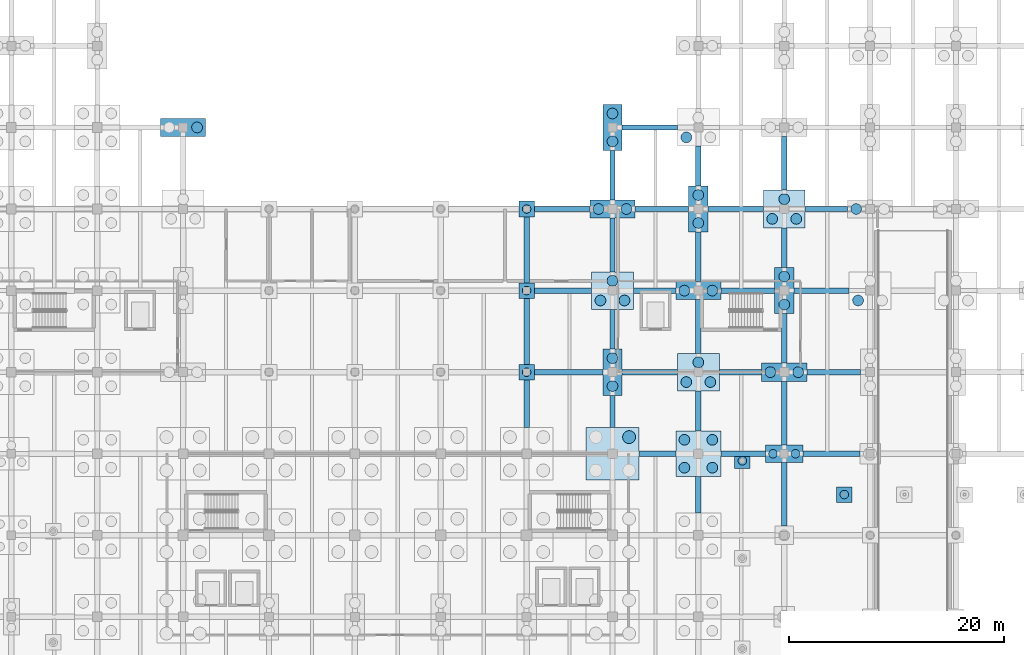
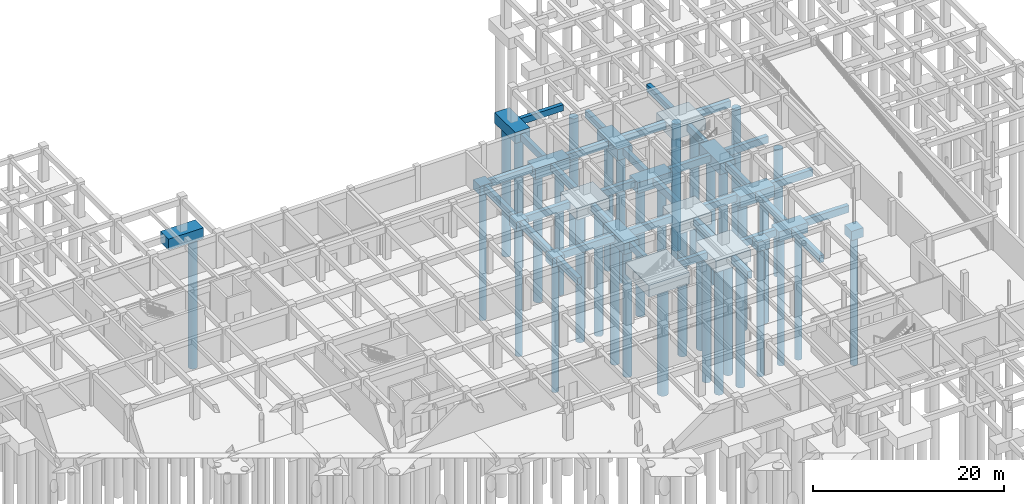
# One storey, part 11 of 49: 52 footings, 39 piles.
"""IFC4 building model written with IfcOpenShell, lengths in metres."""

from ifc_helpers import new_model, si_unit, direction, frame, origin, origin_2d, place, context, subcontext, project, spatial, rectangle, circle, extrude, material, layer, layer_set, material_profile, profile_set, type_object, element, save


model = new_model("IFC4")

# Units and contexts
model_context = context("Model", 3, precision=1e-05, world=origin(), true_north=direction((0.0, 1.0)))
body_context = subcontext(model_context, "Body", "Model", "MODEL_VIEW")
ifc_project = project(units=[si_unit("LENGTHUNIT", "METRE"), si_unit("AREAUNIT", "SQUARE_METRE"), si_unit("VOLUMEUNIT", "CUBIC_METRE"), si_unit("PLANEANGLEUNIT", "RADIAN"), si_unit("MASSUNIT", "GRAM", prefix="KILO")], contexts=[model_context])

# Site, building, storey
site_placement = place(None, origin())
site = spatial("IfcSite", under=ifc_project, at=site_placement, CompositionType="ELEMENT")
building_placement = place(site_placement, origin())
building = spatial("IfcBuilding", under=site, at=building_placement, Name="Zantavel Square City Hall", CompositionType="ELEMENT")
storey_placement = place(building_placement, frame((0.0, 0.0, -4.5)))
storey = spatial("IfcBuildingStorey", under=building, at=storey_placement, Name="B1", CompositionType="ELEMENT", Elevation=-4.5)

# Piles
ifc_material_1 = material(Name="Concrete C35/45", Category="concrete")
ifc_material_profile_1 = material_profile(ifc_material_1, circle(Radius=0.5, at=origin_2d()), Name="PILE D1000")
ifc_profile_set_1 = profile_set([ifc_material_profile_1], Name="Concrete C35/45")
pile_type_1 = type_object("IfcPileType", Name="Bored Pile D1000 Concrete C35/45", PredefinedType="BORED", material=ifc_profile_set_1)
pile_1_placement = place(storey_placement, frame((65.300048828125, 98.800048828125, -1.300048828125), z_axis=(0.0, 0.0, -1.0), x_axis=(1.0, 0.0, 0.0)))
element("IfcPile", 1, at=pile_1_placement, inside=storey, type_object=pile_type_1, Name="Bored Pile FDN-PL-0640-0988-2", PredefinedType="BORED", context=body_context, shape_type="SweptSolid", body=[
    extrude(circle(Radius=0.5, at=origin_2d()), origin(), (0.0, 0.0, 1.0), 16.699951171875),
])
for number, where, z_axis, x_axis, name in (
    (2, (104.0, 74.699951171875, -1.699951171875), (0.0, 0.0, -1.0), (1.0, 0.0, 0.0), "Bored Pile FDN-PL-1040-0760-1"),
    (3, (104.0, 77.300048828125, -1.699951171875), (0.0, 0.0, -1.0), (1.0, 0.0, 0.0), "Bored Pile FDN-PL-1040-0760-2"),
):
    element("IfcPile", number, at=place(storey_placement, frame(where, z_axis=z_axis, x_axis=x_axis)), inside=storey, type_object=pile_type_1, Name=name, PredefinedType="BORED", context=body_context, shape_type="SweptSolid", body=[
        extrude(circle(Radius=0.5, at=origin_2d()), origin(), (0.0, 0.0, 1.0), 16.300048828125),
    ])
for number, where, z_axis, x_axis, name in (
    (4, (102.8798828125, 82.679931640625, -1.75), (0.0, 0.0, -1.0), (1.0, 0.0, 0.0), "Bored Pile FDN-PL-1040-0836-1"),
    (5, (105.1201171875, 82.679931640625, -1.75), (0.0, 0.0, -1.0), (1.0, 0.0, 0.0), "Bored Pile FDN-PL-1040-0836-2"),
    (6, (104.0, 84.52001953125, -1.75), (0.0, 0.0, -1.0), (1.0, 0.0, 0.0), "Bored Pile FDN-PL-1040-0836-3"),
):
    element("IfcPile", number, at=place(storey_placement, frame(where, z_axis=z_axis, x_axis=x_axis)), inside=storey, type_object=pile_type_1, Name=name, PredefinedType="BORED", context=body_context, shape_type="SweptSolid", body=[
        extrude(circle(Radius=0.5, at=origin_2d()), origin(), (0.0, 0.0, 1.0), 16.25),
    ])
for number, where, z_axis, x_axis, name in (
    (7, (102.699951171875, 91.199951171875, -1.699951171875), (0.0, 0.0, -1.0), (1.0, 0.0, 0.0), "Bored Pile FDN-PL-1040-0912-1"),
    (8, (105.300048828125, 91.199951171875, -1.699951171875), (0.0, 0.0, -1.0), (1.0, 0.0, 0.0), "Bored Pile FDN-PL-1040-0912-2"),
):
    element("IfcPile", number, at=place(storey_placement, frame(where, z_axis=z_axis, x_axis=x_axis)), inside=storey, type_object=pile_type_1, Name=name, PredefinedType="BORED", context=body_context, shape_type="SweptSolid", body=[
        extrude(circle(Radius=0.5, at=origin_2d()), origin(), (0.0, 0.0, 1.0), 16.300048828125),
    ])
for number, where, z_axis, x_axis, name in (
    (9, (104.0, 97.5, -1.300048828125), (0.0, 0.0, -1.0), (1.0, 0.0, 0.0), "Bored Pile FDN-PL-1040-0988-1"),
    (10, (104.0, 100.10009765625, -1.300048828125), (0.0, 0.0, -1.0), (1.0, 0.0, 0.0), "Bored Pile FDN-PL-1040-0988-2"),
):
    element("IfcPile", number, at=place(storey_placement, frame(where, z_axis=z_axis, x_axis=x_axis)), inside=storey, type_object=pile_type_1, Name=name, PredefinedType="BORED", context=body_context, shape_type="SweptSolid", body=[
        extrude(circle(Radius=0.5, at=origin_2d()), origin(), (0.0, 0.0, 1.0), 16.699951171875),
    ])
for number, where, z_axis, x_axis, name in (
    (11, (110.699951171875, 67.10009765625, -1.800048828125), (0.0, 0.0, -1.0), (1.0, 0.0, 0.0), "Bored Pile FDN-PL-1120-0684-1"),
    (12, (113.300048828125, 67.10009765625, -1.800048828125), (0.0, 0.0, -1.0), (1.0, 0.0, 0.0), "Bored Pile FDN-PL-1120-0684-2"),
    (13, (110.699951171875, 69.699951171875, -1.800048828125), (0.0, 0.0, -1.0), (1.0, 0.0, 0.0), "Bored Pile FDN-PL-1120-0684-3"),
    (14, (113.300048828125, 69.699951171875, -1.800048828125), (0.0, 0.0, -1.0), (1.0, 0.0, 0.0), "Bored Pile FDN-PL-1120-0684-4"),
):
    element("IfcPile", number, at=place(storey_placement, frame(where, z_axis=z_axis, x_axis=x_axis)), inside=storey, type_object=pile_type_1, Name=name, PredefinedType="BORED", context=body_context, shape_type="SweptSolid", body=[
        extrude(circle(Radius=0.5, at=origin_2d()), origin(), (0.0, 0.0, 1.0), 16.199951171875),
    ])
for number, where, z_axis, x_axis, name in (
    (15, (110.8798828125, 75.080078125, -1.75), (0.0, 0.0, -1.0), (1.0, 0.0, 0.0), "Bored Pile FDN-PL-1120-0760-1"),
    (16, (113.1201171875, 75.080078125, -1.75), (0.0, 0.0, -1.0), (1.0, 0.0, 0.0), "Bored Pile FDN-PL-1120-0760-2"),
    (17, (112.0, 76.919921875, -1.75), (0.0, 0.0, -1.0), (1.0, 0.0, 0.0), "Bored Pile FDN-PL-1120-0760-3"),
):
    element("IfcPile", number, at=place(storey_placement, frame(where, z_axis=z_axis, x_axis=x_axis)), inside=storey, type_object=pile_type_1, Name=name, PredefinedType="BORED", context=body_context, shape_type="SweptSolid", body=[
        extrude(circle(Radius=0.5, at=origin_2d()), origin(), (0.0, 0.0, 1.0), 16.25),
    ])
for number, where, z_axis, x_axis, name in (
    (18, (110.699951171875, 83.60009765625, -1.699951171875), (0.0, 0.0, -1.0), (1.0, 0.0, 0.0), "Bored Pile FDN-PL-1120-0836-1"),
    (19, (113.300048828125, 83.60009765625, -1.699951171875), (0.0, 0.0, -1.0), (1.0, 0.0, 0.0), "Bored Pile FDN-PL-1120-0836-2"),
    (20, (112.0, 89.89990234375, -1.699951171875), (0.0, 0.0, -1.0), (1.0, 0.0, 0.0), "Bored Pile FDN-PL-1120-0912-1"),
    (21, (112.0, 92.5, -1.699951171875), (0.0, 0.0, -1.0), (1.0, 0.0, 0.0), "Bored Pile FDN-PL-1120-0912-2"),
):
    element("IfcPile", number, at=place(storey_placement, frame(where, z_axis=z_axis, x_axis=x_axis)), inside=storey, type_object=pile_type_1, Name=name, PredefinedType="BORED", context=body_context, shape_type="SweptSolid", body=[
        extrude(circle(Radius=0.5, at=origin_2d()), origin(), (0.0, 0.0, 1.0), 16.300048828125),
    ])
pile_2_placement = place(storey_placement, frame((110.8798828125, 97.8798828125, -1.35009765625), z_axis=(0.0, 0.0, -1.0), x_axis=(1.0, 0.0, 0.0)))
element("IfcPile", 22, at=pile_2_placement, inside=storey, type_object=pile_type_1, Name="Bored Pile FDN-PL-1120-0988-1", PredefinedType="BORED", context=body_context, shape_type="SweptSolid", body=[
    extrude(circle(Radius=0.5, at=origin_2d()), origin(), (0.0, 0.0, 1.0), 16.64990234375),
])
for number, where, z_axis, x_axis, name in (
    (23, (118.699951171875, 76.0, -1.699951171875), (0.0, 0.0, -1.0), (1.0, 0.0, 0.0), "Bored Pile FDN-PL-1200-0760-1"),
    (24, (121.300048828125, 76.0, -1.699951171875), (0.0, 0.0, -1.0), (1.0, 0.0, 0.0), "Bored Pile FDN-PL-1200-0760-2"),
    (25, (120.0, 82.300048828125, -1.699951171875), (0.0, 0.0, -1.0), (1.0, 0.0, 0.0), "Bored Pile FDN-PL-1200-0836-1"),
    (26, (120.0, 84.89990234375, -1.699951171875), (0.0, 0.0, -1.0), (1.0, 0.0, 0.0), "Bored Pile FDN-PL-1200-0836-2"),
):
    element("IfcPile", number, at=place(storey_placement, frame(where, z_axis=z_axis, x_axis=x_axis)), inside=storey, type_object=pile_type_1, Name=name, PredefinedType="BORED", context=body_context, shape_type="SweptSolid", body=[
        extrude(circle(Radius=0.5, at=origin_2d()), origin(), (0.0, 0.0, 1.0), 16.300048828125),
    ])
for number, where, z_axis, x_axis, name in (
    (27, (118.8798828125, 90.280029296875, -1.75), (0.0, 0.0, -1.0), (1.0, 0.0, 0.0), "Bored Pile FDN-PL-1200-0912-1"),
    (28, (121.1201171875, 90.280029296875, -1.75), (0.0, 0.0, -1.0), (1.0, 0.0, 0.0), "Bored Pile FDN-PL-1200-0912-2"),
    (29, (120.0, 92.1201171875, -1.75), (0.0, 0.0, -1.0), (1.0, 0.0, 0.0), "Bored Pile FDN-PL-1200-0912-3"),
    (30, (126.8798828125, 82.679931640625, -1.75), (0.0, 0.0, -1.0), (1.0, 0.0, 0.0), "Bored Pile FDN-PL-1280-0836-1"),
):
    element("IfcPile", number, at=place(storey_placement, frame(where, z_axis=z_axis, x_axis=x_axis)), inside=storey, type_object=pile_type_1, Name=name, PredefinedType="BORED", context=body_context, shape_type="SweptSolid", body=[
        extrude(circle(Radius=0.5, at=origin_2d()), origin(), (0.0, 0.0, 1.0), 16.25),
    ])
pile_3_placement = place(storey_placement, frame((126.699951171875, 91.199951171875, -1.699951171875), z_axis=(0.0, 0.0, -1.0), x_axis=(1.0, 0.0, 0.0)))
element("IfcPile", 31, at=pile_3_placement, inside=storey, type_object=pile_type_1, Name="Bored Pile FDN-PL-1280-0912-1", PredefinedType="BORED", context=body_context, shape_type="SweptSolid", body=[
    extrude(circle(Radius=0.5, at=origin_2d()), origin(), (0.0, 0.0, 1.0), 16.300048828125),
])
ifc_material_profile_2 = material_profile(ifc_material_1, circle(Radius=0.60009765625, at=origin_2d()), Name="PILE D1200")
ifc_profile_set_2 = profile_set([ifc_material_profile_2], Name="Concrete C35/45")
pile_type_2 = type_object("IfcPileType", Name="Bored Pile D1200 Concrete C35/45", PredefinedType="BORED", material=ifc_profile_set_2)
pile_4_placement = place(storey_placement, frame((105.550048828125, 69.949951171875, -1.800048828125), z_axis=(0.0, 0.0, -1.0), x_axis=(1.0, 0.0, 0.0)))
element("IfcPile", 32, at=pile_4_placement, inside=storey, type_object=pile_type_2, Name="Bored Pile FDN-PL-1040-0684-4", PredefinedType="BORED", context=body_context, shape_type="SweptSolid", body=[
    extrude(circle(Radius=0.60009765625, at=origin_2d()), origin(), (0.0, 0.0, 1.0), 16.199951171875),
])
ifc_material_profile_3 = material_profile(ifc_material_1, circle(Radius=0.39990234375, at=origin_2d()), Name="PILE D800")
ifc_profile_set_3 = profile_set([ifc_material_profile_3], Name="Concrete C35/45")
pile_type_3 = type_object("IfcPileType", Name="Bored Pile D800 Concrete C35/45", PredefinedType="BORED", material=ifc_profile_set_3)
for number, where, z_axis, x_axis, name in (
    (33, (96.0, 76.0, -1.5), (0.0, 0.0, -1.0), (1.0, 0.0, 0.0), "Bored Pile FDN-PL-0960-0760-1"),
    (34, (96.0, 83.60009765625, -1.5), (0.0, 0.0, -1.0), (1.0, 0.0, 0.0), "Bored Pile FDN-PL-0960-0836-1"),
    (35, (96.0, 91.199951171875, -1.5), (0.0, 0.0, -1.0), (1.0, 0.0, 0.0), "Bored Pile FDN-PL-0960-0912-1"),
):
    element("IfcPile", number, at=place(storey_placement, frame(where, z_axis=z_axis, x_axis=x_axis)), inside=storey, type_object=pile_type_3, Name=name, PredefinedType="BORED", context=body_context, shape_type="SweptSolid", body=[
        extrude(circle(Radius=0.39990234375, at=origin_2d()), origin(), (0.0, 0.0, 1.0), 16.5),
    ])
for number, where, z_axis, x_axis, name in (
    (36, (118.949951171875, 68.39990234375, -1.60009765625), (0.0, 0.0, -1.0), (1.0, 0.0, 0.0), "Bored Pile FDN-PL-1200-0684-1"),
    (37, (121.050048828125, 68.39990234375, -1.60009765625), (0.0, 0.0, -1.0), (1.0, 0.0, 0.0), "Bored Pile FDN-PL-1200-0684-2"),
):
    element("IfcPile", number, at=place(storey_placement, frame(where, z_axis=z_axis, x_axis=x_axis)), inside=storey, type_object=pile_type_3, Name=name, PredefinedType="BORED", context=body_context, shape_type="SweptSolid", body=[
        extrude(circle(Radius=0.39990234375, at=origin_2d()), origin(), (0.0, 0.0, 1.0), 16.39990234375),
    ])
for number, where, z_axis, x_axis, name in (
    (38, (116.10009765625, 67.7451171875, -1.5), (0.0, 0.0, -1.0), (1.0, 0.0, 0.0), "Terrace Stair Loggia Bored Pile 3"),
    (39, (125.60009765625, 64.60009765625, -1.5), (0.0, 0.0, -1.0), (1.0, 0.0, 0.0), "Skylight Pier Bored Pile 1-N"),
):
    element("IfcPile", number, at=place(storey_placement, frame(where, z_axis=z_axis, x_axis=x_axis)), inside=storey, type_object=pile_type_3, Name=name, PredefinedType="BORED", context=body_context, shape_type="SweptSolid", body=[
        extrude(circle(Radius=0.39990234375, at=origin_2d()), origin(), (0.0, 0.0, 1.0), 16.5),
    ])

# Footings
ifc_material_profile_4 = material_profile(ifc_material_1, rectangle(XDim=0.449951171875, YDim=0.800048828125, at=origin_2d()), Name="RC 450x800")
ifc_profile_set_4 = profile_set([ifc_material_profile_4], Name="Concrete C35/45")
footing_type_1 = type_object("IfcFootingType", Name="Courtyard Grade Tie Beam 450x800 C35/45", PredefinedType="FOOTING_BEAM", material=ifc_profile_set_4)
footing_1_placement = place(storey_placement, frame((104.89990234375, 98.800048828125, -0.39990234375), z_axis=(1.0, 0.0, 0.0), x_axis=(0.0, 1.0, 0.0)))
element("IfcFooting", 40, at=footing_1_placement, inside=storey, type_object=footing_type_1, Name="Grade Tie Beam FDN-GTBX-1040-0988", PredefinedType="FOOTING_BEAM", context=body_context, shape_type="SweptSolid", body=[
    extrude(rectangle(XDim=0.449951171875, YDim=0.800048828125, at=origin_2d()), origin(), (0.0, 0.0, 1.0), 5.150146484375),
])
ifc_material_profile_5 = material_profile(ifc_material_1, rectangle(XDim=0.5, YDim=0.89990234375, at=origin_2d()), Name="RC 500x900")
ifc_profile_set_5 = profile_set([ifc_material_profile_5], Name="Concrete C35/45")
footing_type_2 = type_object("IfcFootingType", Name="Grade Tie Beam 500x900 Concrete C35/45", PredefinedType="FOOTING_BEAM", material=ifc_profile_set_5)
footing_2_placement = place(storey_placement, frame((96.0, 70.85009765625, -0.85009765625), z_axis=(0.0, 1.0, 0.0), x_axis=(-1.0, 0.0, 0.0)))
element("IfcFooting", 41, at=footing_2_placement, inside=storey, type_object=footing_type_2, Name="Grade Tie Beam FDN-GTBY-0960-0684", PredefinedType="FOOTING_BEAM", context=body_context, shape_type="SweptSolid", body=[
    extrude(rectangle(XDim=0.5, YDim=0.89990234375, at=origin_2d()), origin(), (0.0, 0.0, 1.0), 4.4248046875),
])
footing_3_placement = place(storey_placement, frame((96.72509765625, 76.0, -0.85009765625), z_axis=(1.0, 0.0, 0.0), x_axis=(0.0, 1.0, 0.0)))
element("IfcFooting", 42, at=footing_3_placement, inside=storey, type_object=footing_type_2, Name="Grade Tie Beam FDN-GTBX-0960-0760", PredefinedType="FOOTING_BEAM", context=body_context, shape_type="SweptSolid", body=[
    extrude(rectangle(XDim=0.5, YDim=0.89990234375, at=origin_2d()), origin(), (0.0, 0.0, 1.0), 6.375),
])
footing_4_placement = place(storey_placement, frame((96.0, 76.72509765625, -0.85009765625), z_axis=(0.0, 1.0, 0.0), x_axis=(-1.0, 0.0, 0.0)))
element("IfcFooting", 43, at=footing_4_placement, inside=storey, type_object=footing_type_2, Name="Grade Tie Beam FDN-GTBY-0960-0760", PredefinedType="FOOTING_BEAM", context=body_context, shape_type="SweptSolid", body=[
    extrude(rectangle(XDim=0.5, YDim=0.89990234375, at=origin_2d()), origin(), (0.0, 0.0, 1.0), 6.14990234375),
])
footing_5_placement = place(storey_placement, frame((96.72509765625, 83.60009765625, -0.85009765625), z_axis=(1.0, 0.0, 0.0), x_axis=(0.0, 1.0, 0.0)))
element("IfcFooting", 44, at=footing_5_placement, inside=storey, type_object=footing_type_2, Name="Grade Tie Beam FDN-GTBX-0960-0836", PredefinedType="FOOTING_BEAM", context=body_context, shape_type="SweptSolid", body=[
    extrude(rectangle(XDim=0.5, YDim=0.89990234375, at=origin_2d()), origin(), (0.0, 0.0, 1.0), 5.324951171875),
])
footing_6_placement = place(storey_placement, frame((96.0, 84.324951171875, -0.85009765625), z_axis=(0.0, 1.0, 0.0), x_axis=(-1.0, 0.0, 0.0)))
element("IfcFooting", 45, at=footing_6_placement, inside=storey, type_object=footing_type_2, Name="Grade Tie Beam FDN-GTBY-0960-0836", PredefinedType="FOOTING_BEAM", context=body_context, shape_type="SweptSolid", body=[
    extrude(rectangle(XDim=0.5, YDim=0.89990234375, at=origin_2d()), origin(), (0.0, 0.0, 1.0), 6.150146484375),
])
footing_7_placement = place(storey_placement, frame((96.72509765625, 91.199951171875, -0.85009765625), z_axis=(1.0, 0.0, 0.0), x_axis=(0.0, 1.0, 0.0)))
element("IfcFooting", 46, at=footing_7_placement, inside=storey, type_object=footing_type_2, Name="Grade Tie Beam FDN-GTBX-0960-0912", PredefinedType="FOOTING_BEAM", context=body_context, shape_type="SweptSolid", body=[
    extrude(rectangle(XDim=0.5, YDim=0.89990234375, at=origin_2d()), origin(), (0.0, 0.0, 1.0), 5.1748046875),
])
footing_8_placement = place(storey_placement, frame((106.449951171875, 68.39990234375, -0.85009765625), z_axis=(1.0, 0.0, 0.0), x_axis=(0.0, 1.0, 0.0)))
element("IfcFooting", 47, at=footing_8_placement, inside=storey, type_object=footing_type_2, Name="Grade Tie Beam FDN-GTBX-1040-0684", PredefinedType="FOOTING_BEAM", context=body_context, shape_type="SweptSolid", body=[
    extrude(rectangle(XDim=0.5, YDim=0.89990234375, at=origin_2d()), origin(), (0.0, 0.0, 1.0), 3.449951171875),
])
footing_9_placement = place(storey_placement, frame((104.0, 70.85009765625, -0.85009765625), z_axis=(0.0, 1.0, 0.0), x_axis=(-1.0, 0.0, 0.0)))
element("IfcFooting", 48, at=footing_9_placement, inside=storey, type_object=footing_type_2, Name="Grade Tie Beam FDN-GTBY-1040-0684", PredefinedType="FOOTING_BEAM", context=body_context, shape_type="SweptSolid", body=[
    extrude(rectangle(XDim=0.5, YDim=0.89990234375, at=origin_2d()), origin(), (0.0, 0.0, 1.0), 3.0),
])
footing_10_placement = place(storey_placement, frame((104.89990234375, 76.0, -0.85009765625), z_axis=(1.0, 0.0, 0.0), x_axis=(0.0, 1.0, 0.0)))
element("IfcFooting", 49, at=footing_10_placement, inside=storey, type_object=footing_type_2, Name="Grade Tie Beam FDN-GTBX-1040-0760", PredefinedType="FOOTING_BEAM", context=body_context, shape_type="SweptSolid", body=[
    extrude(rectangle(XDim=0.5, YDim=0.89990234375, at=origin_2d()), origin(), (0.0, 0.0, 1.0), 5.150146484375),
])
footing_11_placement = place(storey_placement, frame((104.0, 78.14990234375, -0.85009765625), z_axis=(0.0, 1.0, 0.0), x_axis=(-1.0, 0.0, 0.0)))
element("IfcFooting", 50, at=footing_11_placement, inside=storey, type_object=footing_type_2, Name="Grade Tie Beam FDN-GTBY-1040-0760", PredefinedType="FOOTING_BEAM", context=body_context, shape_type="SweptSolid", body=[
    extrude(rectangle(XDim=0.5, YDim=0.89990234375, at=origin_2d()), origin(), (0.0, 0.0, 1.0), 3.7001953125),
])
footing_12_placement = place(storey_placement, frame((105.949951171875, 83.60009765625, -0.85009765625), z_axis=(1.0, 0.0, 0.0), x_axis=(0.0, 1.0, 0.0)))
element("IfcFooting", 51, at=footing_12_placement, inside=storey, type_object=footing_type_2, Name="Grade Tie Beam FDN-GTBX-1040-0836", PredefinedType="FOOTING_BEAM", context=body_context, shape_type="SweptSolid", body=[
    extrude(rectangle(XDim=0.5, YDim=0.89990234375, at=origin_2d()), origin(), (0.0, 0.0, 1.0), 3.949951171875),
])
for number, where, z_axis, x_axis, name in (
    (52, (104.0, 85.35009765625, -0.85009765625), (0.0, 1.0, 0.0), (-1.0, 0.0, 0.0), "Grade Tie Beam FDN-GTBY-1040-0836"),
    (53, (106.10009765625, 91.199951171875, -0.85009765625), (1.0, 0.0, 0.0), (0.0, 1.0, 0.0), "Grade Tie Beam FDN-GTBX-1040-0912"),
):
    element("IfcFooting", number, at=place(storey_placement, frame(where, z_axis=z_axis, x_axis=x_axis)), inside=storey, type_object=footing_type_2, Name=name, PredefinedType="FOOTING_BEAM", context=body_context, shape_type="SweptSolid", body=[
        extrude(rectangle(XDim=0.5, YDim=0.89990234375, at=origin_2d()), origin(), (0.0, 0.0, 1.0), 5.0),
    ])
footing_13_placement = place(storey_placement, frame((104.0, 92.050048828125, -0.85009765625), z_axis=(0.0, 1.0, 0.0), x_axis=(-1.0, 0.0, 0.0)))
element("IfcFooting", 54, at=footing_13_placement, inside=storey, type_object=footing_type_2, Name="Grade Tie Beam FDN-GTBY-1040-0912", PredefinedType="FOOTING_BEAM", context=body_context, shape_type="SweptSolid", body=[
    extrude(rectangle(XDim=0.5, YDim=0.89990234375, at=origin_2d()), origin(), (0.0, 0.0, 1.0), 4.599853515625),
])
footing_14_placement = place(storey_placement, frame((112.0, 62.89990234375, -0.85009765625), z_axis=(0.0, 1.0, 0.0), x_axis=(-1.0, 0.0, 0.0)))
element("IfcFooting", 55, at=footing_14_placement, inside=storey, type_object=footing_type_2, Name="Grade Tie Beam FDN-GTBY-1120-0608", PredefinedType="FOOTING_BEAM", context=body_context, shape_type="SweptSolid", body=[
    extrude(rectangle(XDim=0.5, YDim=0.89990234375, at=origin_2d()), origin(), (0.0, 0.0, 1.0), 3.400146484375),
])
footing_15_placement = place(storey_placement, frame((114.10009765625, 68.39990234375, -0.85009765625), z_axis=(1.0, 0.0, 0.0), x_axis=(0.0, 1.0, 0.0)))
element("IfcFooting", 56, at=footing_15_placement, inside=storey, type_object=footing_type_2, Name="Grade Tie Beam FDN-GTBX-1120-0684", PredefinedType="FOOTING_BEAM", context=body_context, shape_type="SweptSolid", body=[
    extrude(rectangle(XDim=0.5, YDim=0.89990234375, at=origin_2d()), origin(), (0.0, 0.0, 1.0), 4.14990234375),
])
footing_16_placement = place(storey_placement, frame((112.0, 70.5, -0.85009765625), z_axis=(0.0, 1.0, 0.0), x_axis=(-1.0, 0.0, 0.0)))
element("IfcFooting", 57, at=footing_16_placement, inside=storey, type_object=footing_type_2, Name="Grade Tie Beam FDN-GTBY-1120-0684", PredefinedType="FOOTING_BEAM", context=body_context, shape_type="SweptSolid", body=[
    extrude(rectangle(XDim=0.5, YDim=0.89990234375, at=origin_2d()), origin(), (0.0, 0.0, 1.0), 3.75),
])
footing_17_placement = place(storey_placement, frame((113.949951171875, 76.0, -0.85009765625), z_axis=(1.0, 0.0, 0.0), x_axis=(0.0, 1.0, 0.0)))
element("IfcFooting", 58, at=footing_17_placement, inside=storey, type_object=footing_type_2, Name="Grade Tie Beam FDN-GTBX-1120-0760", PredefinedType="FOOTING_BEAM", context=body_context, shape_type="SweptSolid", body=[
    extrude(rectangle(XDim=0.5, YDim=0.89990234375, at=origin_2d()), origin(), (0.0, 0.0, 1.0), 3.949951171875),
])
for number, where, z_axis, x_axis, name in (
    (59, (112.0, 77.75, -0.85009765625), (0.0, 1.0, 0.0), (-1.0, 0.0, 0.0), "Grade Tie Beam FDN-GTBY-1120-0760"),
    (60, (114.10009765625, 83.60009765625, -0.85009765625), (1.0, 0.0, 0.0), (0.0, 1.0, 0.0), "Grade Tie Beam FDN-GTBX-1120-0836"),
):
    element("IfcFooting", number, at=place(storey_placement, frame(where, z_axis=z_axis, x_axis=x_axis)), inside=storey, type_object=footing_type_2, Name=name, PredefinedType="FOOTING_BEAM", context=body_context, shape_type="SweptSolid", body=[
        extrude(rectangle(XDim=0.5, YDim=0.89990234375, at=origin_2d()), origin(), (0.0, 0.0, 1.0), 5.0),
    ])
footing_18_placement = place(storey_placement, frame((112.0, 84.449951171875, -0.85009765625), z_axis=(0.0, 1.0, 0.0), x_axis=(-1.0, 0.0, 0.0)))
element("IfcFooting", 61, at=footing_18_placement, inside=storey, type_object=footing_type_2, Name="Grade Tie Beam FDN-GTBY-1120-0836", PredefinedType="FOOTING_BEAM", context=body_context, shape_type="SweptSolid", body=[
    extrude(rectangle(XDim=0.5, YDim=0.89990234375, at=origin_2d()), origin(), (0.0, 0.0, 1.0), 4.60009765625),
])
footing_19_placement = place(storey_placement, frame((112.89990234375, 91.199951171875, -0.85009765625), z_axis=(1.0, 0.0, 0.0), x_axis=(0.0, 1.0, 0.0)))
element("IfcFooting", 62, at=footing_19_placement, inside=storey, type_object=footing_type_2, Name="Grade Tie Beam FDN-GTBX-1120-0912", PredefinedType="FOOTING_BEAM", context=body_context, shape_type="SweptSolid", body=[
    extrude(rectangle(XDim=0.5, YDim=0.89990234375, at=origin_2d()), origin(), (0.0, 0.0, 1.0), 5.150146484375),
])
footing_20_placement = place(storey_placement, frame((112.0, 93.35009765625, -0.85009765625), z_axis=(0.0, 1.0, 0.0), x_axis=(-1.0, 0.0, 0.0)))
element("IfcFooting", 63, at=footing_20_placement, inside=storey, type_object=footing_type_2, Name="Grade Tie Beam FDN-GTBY-1120-0912", PredefinedType="FOOTING_BEAM", context=body_context, shape_type="SweptSolid", body=[
    extrude(rectangle(XDim=0.5, YDim=0.89990234375, at=origin_2d()), origin(), (0.0, 0.0, 1.0), 3.699951171875),
])
footing_21_placement = place(storey_placement, frame((120.0, 61.64990234375, -0.85009765625), z_axis=(0.0, 1.0, 0.0), x_axis=(-1.0, 0.0, 0.0)))
element("IfcFooting", 64, at=footing_21_placement, inside=storey, type_object=footing_type_2, Name="Grade Tie Beam FDN-GTBY-1200-0608", PredefinedType="FOOTING_BEAM", context=body_context, shape_type="SweptSolid", body=[
    extrude(rectangle(XDim=0.5, YDim=0.89990234375, at=origin_2d()), origin(), (0.0, 0.0, 1.0), 5.9501953125),
])
footing_22_placement = place(storey_placement, frame((121.75, 68.39990234375, -0.85009765625), z_axis=(1.0, 0.0, 0.0), x_axis=(0.0, 1.0, 0.0)))
element("IfcFooting", 65, at=footing_22_placement, inside=storey, type_object=footing_type_2, Name="Grade Tie Beam FDN-GTBX-1200-0684", PredefinedType="FOOTING_BEAM", context=body_context, shape_type="SweptSolid", body=[
    extrude(rectangle(XDim=0.5, YDim=0.89990234375, at=origin_2d()), origin(), (0.0, 0.0, 1.0), 5.300048828125),
])
footing_23_placement = place(storey_placement, frame((120.0, 69.199951171875, -0.85009765625), z_axis=(0.0, 1.0, 0.0), x_axis=(-1.0, 0.0, 0.0)))
element("IfcFooting", 66, at=footing_23_placement, inside=storey, type_object=footing_type_2, Name="Grade Tie Beam FDN-GTBY-1200-0684", PredefinedType="FOOTING_BEAM", context=body_context, shape_type="SweptSolid", body=[
    extrude(rectangle(XDim=0.5, YDim=0.89990234375, at=origin_2d()), origin(), (0.0, 0.0, 1.0), 5.949951171875),
])
footing_24_placement = place(storey_placement, frame((122.10009765625, 76.0, -0.85009765625), z_axis=(1.0, 0.0, 0.0), x_axis=(0.0, 1.0, 0.0)))
element("IfcFooting", 67, at=footing_24_placement, inside=storey, type_object=footing_type_2, Name="Grade Tie Beam FDN-GTBX-1200-0760", PredefinedType="FOOTING_BEAM", context=body_context, shape_type="SweptSolid", body=[
    extrude(rectangle(XDim=0.5, YDim=0.89990234375, at=origin_2d()), origin(), (0.0, 0.0, 1.0), 5.0),
])
footing_25_placement = place(storey_placement, frame((120.0, 76.85009765625, -0.85009765625), z_axis=(0.0, 1.0, 0.0), x_axis=(-1.0, 0.0, 0.0)))
element("IfcFooting", 68, at=footing_25_placement, inside=storey, type_object=footing_type_2, Name="Grade Tie Beam FDN-GTBY-1200-0760", PredefinedType="FOOTING_BEAM", context=body_context, shape_type="SweptSolid", body=[
    extrude(rectangle(XDim=0.5, YDim=0.89990234375, at=origin_2d()), origin(), (0.0, 0.0, 1.0), 4.599853515625),
])
footing_26_placement = place(storey_placement, frame((120.89990234375, 83.60009765625, -0.85009765625), z_axis=(1.0, 0.0, 0.0), x_axis=(0.0, 1.0, 0.0)))
element("IfcFooting", 69, at=footing_26_placement, inside=storey, type_object=footing_type_2, Name="Grade Tie Beam FDN-GTBX-1200-0836", PredefinedType="FOOTING_BEAM", context=body_context, shape_type="SweptSolid", body=[
    extrude(rectangle(XDim=0.5, YDim=0.89990234375, at=origin_2d()), origin(), (0.0, 0.0, 1.0), 5.150146484375),
])
footing_27_placement = place(storey_placement, frame((120.0, 85.75, -0.85009765625), z_axis=(0.0, 1.0, 0.0), x_axis=(-1.0, 0.0, 0.0)))
element("IfcFooting", 70, at=footing_27_placement, inside=storey, type_object=footing_type_2, Name="Grade Tie Beam FDN-GTBY-1200-0836", PredefinedType="FOOTING_BEAM", context=body_context, shape_type="SweptSolid", body=[
    extrude(rectangle(XDim=0.5, YDim=0.89990234375, at=origin_2d()), origin(), (0.0, 0.0, 1.0), 3.699951171875),
])
footing_28_placement = place(storey_placement, frame((121.949951171875, 91.199951171875, -0.85009765625), z_axis=(1.0, 0.0, 0.0), x_axis=(0.0, 1.0, 0.0)))
element("IfcFooting", 71, at=footing_28_placement, inside=storey, type_object=footing_type_2, Name="Grade Tie Beam FDN-GTBX-1200-0912", PredefinedType="FOOTING_BEAM", context=body_context, shape_type="SweptSolid", body=[
    extrude(rectangle(XDim=0.5, YDim=0.89990234375, at=origin_2d()), origin(), (0.0, 0.0, 1.0), 3.949951171875),
])
footing_29_placement = place(storey_placement, frame((120.0, 92.949951171875, -0.85009765625), z_axis=(0.0, 1.0, 0.0), x_axis=(-1.0, 0.0, 0.0)))
element("IfcFooting", 72, at=footing_29_placement, inside=storey, type_object=footing_type_2, Name="Grade Tie Beam FDN-GTBY-1200-0912", PredefinedType="FOOTING_BEAM", context=body_context, shape_type="SweptSolid", body=[
    extrude(rectangle(XDim=0.5, YDim=0.89990234375, at=origin_2d()), origin(), (0.0, 0.0, 1.0), 5.0),
])
ifc_material_2 = material(Name="Concrete C40/50", Category="concrete")
ifc_layer_1 = layer(ifc_material_2, 1.199951171875, Name="Concrete C40/50")
ifc_layer_set_1 = layer_set([ifc_layer_1], Name="Concrete C40/50")
footing_type_3 = type_object("IfcFootingType", Name="Pile Cap 1P-D800 1450x1450x1200", PredefinedType="PILE_CAP", material=ifc_layer_set_1)
for number, where, z_axis, x_axis, name in (
    (73, (96.0, 76.0, -1.60009765625), (0.0, 0.0, 1.0), (1.0, 0.0, 0.0), "Pile Cap FDN-PC-0960-0760"),
    (74, (96.0, 83.60009765625, -1.60009765625), (0.0, 0.0, 1.0), (1.0, 0.0, 0.0), "Pile Cap FDN-PC-0960-0836"),
    (75, (96.0, 91.199951171875, -1.60009765625), (0.0, 0.0, 1.0), (1.0, 0.0, 0.0), "Pile Cap FDN-PC-0960-0912"),
    (76, (116.10009765625, 67.7451171875, -1.60009765625), (0.0, 0.0, 1.0), (1.0, 0.0, 0.0), "Terrace Stair Loggia Pile Cap 3"),
    (77, (125.60009765625, 64.60009765625, -1.60009765625), (0.0, 0.0, 1.0), (1.0, 0.0, 0.0), "Skylight Pier Pile Cap 1-N"),
):
    element("IfcFooting", number, at=place(storey_placement, frame(where, z_axis=z_axis, x_axis=x_axis)), inside=storey, type_object=footing_type_3, Name=name, PredefinedType="PILE_CAP", context=body_context, shape_type="SweptSolid", body=[
        extrude(rectangle(XDim=1.449951171875, YDim=1.449951171875, at=origin_2d()), origin(), (0.0, 0.0, 1.0), 1.199951171875),
    ])
ifc_layer_2 = layer(ifc_material_2, 1.39990234375, Name="Concrete C40/50")
ifc_layer_set_2 = layer_set([ifc_layer_2], Name="Concrete C40/50")
footing_type_4 = type_object("IfcFootingType", Name="Pile Cap 2P-D1000X 4200x1700x1400", PredefinedType="PILE_CAP", material=ifc_layer_set_2)
for number, where, z_axis, x_axis, name in (
    (78, (64.0, 98.800048828125, -1.39990234375), (0.0, 0.0, 1.0), (1.0, 0.0, 0.0), "Pile Cap FDN-PC-0640-0988"),
    (79, (104.0, 91.199951171875, -1.800048828125), (0.0, 0.0, 1.0), (1.0, 0.0, 0.0), "Pile Cap FDN-PC-1040-0912"),
    (80, (112.0, 83.60009765625, -1.800048828125), (0.0, 0.0, 1.0), (1.0, 0.0, 0.0), "Pile Cap FDN-PC-1120-0836"),
    (81, (120.0, 76.0, -1.800048828125), (0.0, 0.0, 1.0), (1.0, 0.0, 0.0), "Pile Cap FDN-PC-1200-0760"),
):
    element("IfcFooting", number, at=place(storey_placement, frame(where, z_axis=z_axis, x_axis=x_axis)), inside=storey, type_object=footing_type_4, Name=name, PredefinedType="PILE_CAP", context=body_context, shape_type="SweptSolid", body=[
        extrude(rectangle(XDim=4.199951171875, YDim=1.699951171875, at=origin_2d()), origin(), (0.0, 0.0, 1.0), 1.39990234375),
    ])
ifc_layer_3 = layer(ifc_material_2, 1.39990234375, Name="Concrete C40/50")
ifc_layer_set_3 = layer_set([ifc_layer_3], Name="Concrete C40/50")
footing_type_5 = type_object("IfcFootingType", Name="Pile Cap 2P-D1000Y 1800x4300x1400", PredefinedType="PILE_CAP", material=ifc_layer_set_3)
for number, where, z_axis, x_axis, name in (
    (82, (104.0, 76.0, -1.800048828125), (0.0, 0.0, 1.0), (1.0, 0.0, 0.0), "Pile Cap FDN-PC-1040-0760"),
    (83, (104.0, 98.800048828125, -1.39990234375), (0.0, 0.0, 1.0), (1.0, 0.0, 0.0), "Pile Cap FDN-PC-1040-0988"),
    (84, (112.0, 91.199951171875, -1.800048828125), (0.0, 0.0, 1.0), (1.0, 0.0, 0.0), "Pile Cap FDN-PC-1120-0912"),
    (85, (120.0, 83.60009765625, -1.800048828125), (0.0, 0.0, 1.0), (1.0, 0.0, 0.0), "Pile Cap FDN-PC-1200-0836"),
):
    element("IfcFooting", number, at=place(storey_placement, frame(where, z_axis=z_axis, x_axis=x_axis)), inside=storey, type_object=footing_type_5, Name=name, PredefinedType="PILE_CAP", context=body_context, shape_type="SweptSolid", body=[
        extrude(rectangle(XDim=1.800048828125, YDim=4.300048828125, at=origin_2d()), origin(), (0.0, 0.0, 1.0), 1.39990234375),
    ])
ifc_layer_4 = layer(ifc_material_2, 1.300048828125, Name="Concrete C40/50")
ifc_layer_set_4 = layer_set([ifc_layer_4], Name="Concrete C40/50")
footing_type_6 = type_object("IfcFootingType", Name="Pile Cap 2P-D800C 3500x1600x1300", PredefinedType="PILE_CAP", material=ifc_layer_set_4)
footing_30_placement = place(storey_placement, frame((120.0, 68.39990234375, -1.7001953125), z_axis=(0.0, 0.0, 1.0), x_axis=(1.0, 0.0, 0.0)))
element("IfcFooting", 86, at=footing_30_placement, inside=storey, type_object=footing_type_6, Name="Pile Cap FDN-PC-1200-0684", PredefinedType="PILE_CAP", context=body_context, shape_type="SweptSolid", body=[
    extrude(rectangle(XDim=3.5, YDim=1.60009765625, at=origin_2d()), origin(), (0.0, 0.0, 1.0), 1.300048828125),
])
ifc_layer_5 = layer(ifc_material_2, 1.449951171875, Name="Concrete C40/50")
ifc_layer_set_5 = layer_set([ifc_layer_5], Name="Concrete C40/50")
footing_type_7 = type_object("IfcFootingType", Name="Pile Cap 3P-D1000 3900x3500x1450", PredefinedType="PILE_CAP", material=ifc_layer_set_5)
for number, where, z_axis, x_axis, name in (
    (87, (104.0, 83.60009765625, -1.85009765625), (0.0, 0.0, 1.0), (1.0, 0.0, 0.0), "Pile Cap FDN-PC-1040-0836"),
    (88, (112.0, 76.0, -1.85009765625), (0.0, 0.0, 1.0), (1.0, 0.0, 0.0), "Pile Cap FDN-PC-1120-0760"),
    (89, (120.0, 91.199951171875, -1.85009765625), (0.0, 0.0, 1.0), (1.0, 0.0, 0.0), "Pile Cap FDN-PC-1200-0912"),
):
    element("IfcFooting", number, at=place(storey_placement, frame(where, z_axis=z_axis, x_axis=x_axis)), inside=storey, type_object=footing_type_7, Name=name, PredefinedType="PILE_CAP", context=body_context, shape_type="SweptSolid", body=[
        extrude(rectangle(XDim=3.89990234375, YDim=3.5, at=origin_2d()), origin(), (0.0, 0.0, 1.0), 1.449951171875),
    ])
ifc_layer_6 = layer(ifc_material_2, 1.5, Name="Concrete C40/50")
ifc_layer_set_6 = layer_set([ifc_layer_6], Name="Concrete C40/50")
footing_type_8 = type_object("IfcFootingType", Name="Pile Cap 4P-D1000 4200x4200x1500", PredefinedType="PILE_CAP", material=ifc_layer_set_6)
footing_31_placement = place(storey_placement, frame((112.0, 68.39990234375, -1.89990234375), z_axis=(0.0, 0.0, 1.0), x_axis=(1.0, 0.0, 0.0)))
element("IfcFooting", 90, at=footing_31_placement, inside=storey, type_object=footing_type_8, Name="Pile Cap FDN-PC-1120-0684", PredefinedType="PILE_CAP", context=body_context, shape_type="SweptSolid", body=[
    extrude(rectangle(XDim=4.199951171875, YDim=4.199951171875, at=origin_2d()), origin(), (0.0, 0.0, 1.0), 1.5),
])
ifc_layer_7 = layer(ifc_material_2, 1.5, Name="Concrete C40/50")
ifc_layer_set_7 = layer_set([ifc_layer_7], Name="Concrete C40/50")
footing_type_9 = type_object("IfcFootingType", Name="Pile Cap 4P-D1200 4900x4900x1500", PredefinedType="PILE_CAP", material=ifc_layer_set_7)
footing_32_placement = place(storey_placement, frame((104.0, 68.39990234375, -1.89990234375), z_axis=(0.0, 0.0, 1.0), x_axis=(1.0, 0.0, 0.0)))
element("IfcFooting", 91, at=footing_32_placement, inside=storey, type_object=footing_type_9, Name="Pile Cap FDN-PC-1040-0684", PredefinedType="PILE_CAP", context=body_context, shape_type="SweptSolid", body=[
    extrude(rectangle(XDim=4.89990234375, YDim=4.89990234375, at=origin_2d()), origin(), (0.0, 0.0, 1.0), 1.5),
])

save(model, "model.ifc")
